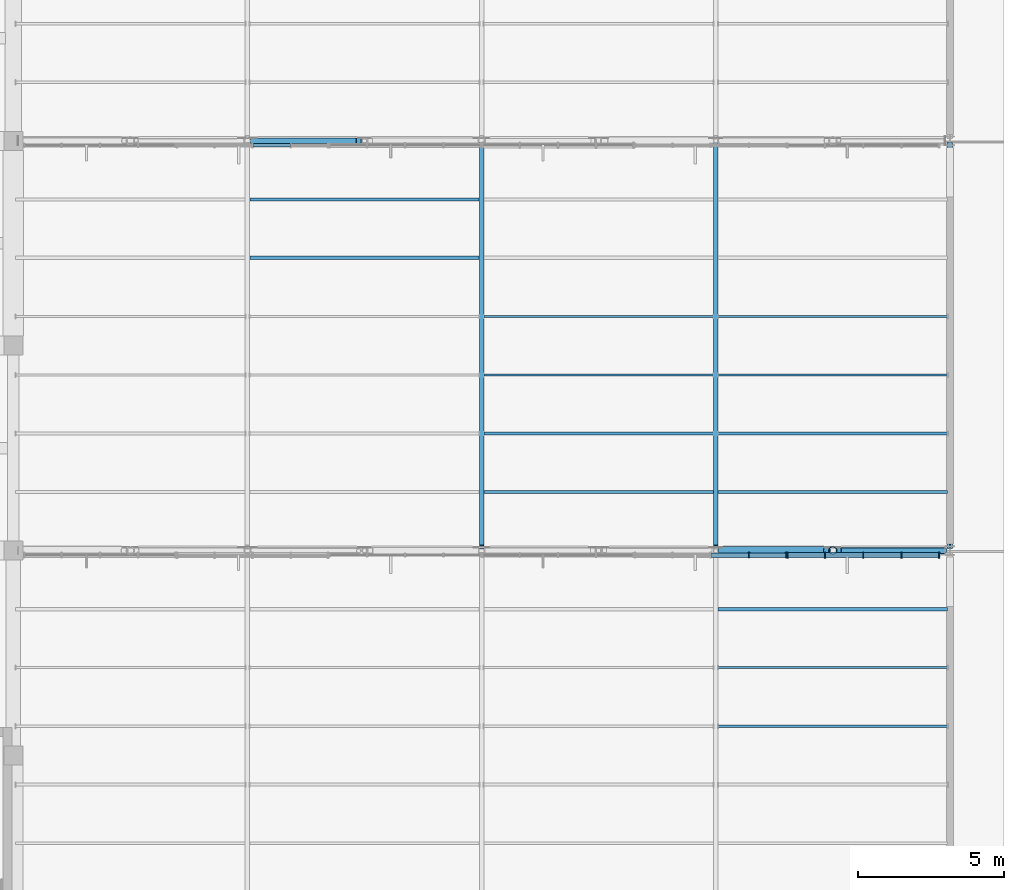
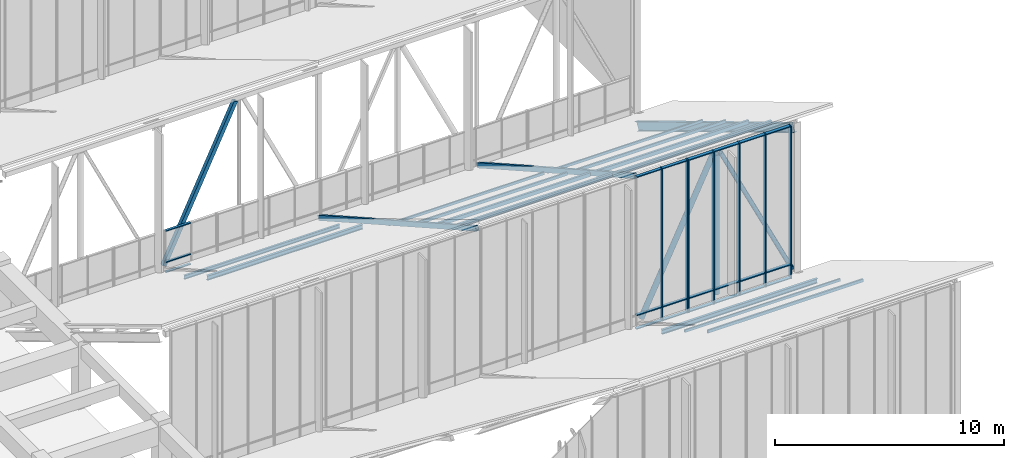
# One storey, part 56 of 155: 47 members, 1 beam, 3 elements without a shape of their own.
"""IFC4 building model written with IfcOpenShell, lengths in metres."""

from ifc_helpers import new_model, si_unit, direction, frame, origin, origin_2d, place, context, subcontext, project, spatial, rectangle, hollow_rectangle, hollow_circle, i_section, extrude, material, material_profile, profile_set, type_object, element, aggregate, save


model = new_model("IFC4")

# Units and contexts
model_context = context("Model", 3, precision=1e-05, world=origin(), true_north=direction((0.0, 1.0)))
body_context = subcontext(model_context, "Body", "Model", "MODEL_VIEW")
ifc_project = project(units=[si_unit("LENGTHUNIT", "METRE"), si_unit("AREAUNIT", "SQUARE_METRE"), si_unit("VOLUMEUNIT", "CUBIC_METRE"), si_unit("PLANEANGLEUNIT", "RADIAN"), si_unit("MASSUNIT", "GRAM", prefix="KILO")], contexts=[model_context])

# Site, building, storey
site_placement = place(None, origin())
site = spatial("IfcSite", under=ifc_project, at=site_placement, CompositionType="ELEMENT")
building_placement = place(site_placement, origin())
building = spatial("IfcBuilding", under=site, at=building_placement, Name="Larkveld Mobility Hub", CompositionType="ELEMENT")
storey_placement = place(building_placement, frame((0.0, 0.0, 8.39990234375)))
storey = spatial("IfcBuildingStorey", under=building, at=storey_placement, Name="L02", CompositionType="ELEMENT", Elevation=8.39990234375)

# Beam
ifc_material_1 = material(Name="Steel S355JR", Category="steel")
ifc_material_profile_1 = material_profile(ifc_material_1, i_section(OverallWidth=0.18994140625, OverallDepth=0.449951171875, WebThickness=0.009521484375, FlangeThickness=0.0146484375, FilletRadius=0.02099609375, at=origin_2d()), Name="IPE 450")
ifc_profile_set_1 = profile_set([ifc_material_profile_1], Name="Steel S355JR")
beam_type = type_object("IfcBeamType", Name="BM-STIPE450", PredefinedType="BEAM", material=ifc_profile_set_1)
beam_placement = place(storey_placement, frame((184.0, 70.179931640625, 7.68408203125), z_axis=(0.0, 0.857492925713, -0.514495755428), x_axis=(-1.0, 0.0, 0.0)))
element("IfcBeam", 1, at=beam_placement, inside=storey, type_object=beam_type, Name="ROOF TRUSS Sawtooth Edge Rafter B4-184", PredefinedType="BEAM", context=body_context, shape_type="SweptSolid", body=[
    extrude(i_section(OverallWidth=0.18994140625, OverallDepth=0.449951171875, WebThickness=0.009521484375, FlangeThickness=0.0146484375, FilletRadius=0.02099609375, at=origin_2d()), origin(), (0.0, 0.0, 1.0), 15.906982421875),
])

# Curtain wall, members
ifc_material_2 = material(Name="Anodised aluminium 6063-T6", Category="aluminium")
curtain_wall_type_1 = type_object("IfcCurtainWallType", Name="CW-SYS-06", PredefinedType="NOTDEFINED", material=ifc_material_2)
curtain_wall_1_placement = place(storey_placement, origin())
curtain_wall_1 = element("IfcCurtainWall", 2, at=curtain_wall_1_placement, inside=storey, type_object=curtain_wall_type_1, Name="Sawtooth South-Light Clerestory B4 CW-030", PredefinedType="NOTDEFINED")
ifc_material_profile_2 = material_profile(ifc_material_2, rectangle(XDim=0.050048828125, YDim=0.179931640625, at=origin_2d()), Name="ALU MULL 50x180")
ifc_profile_set_2 = profile_set([ifc_material_profile_2], Name="Anodised aluminium 6063-T6")
member_type_1 = type_object("IfcMemberType", Name="CW-MUL-02", PredefinedType="MULLION", material=ifc_profile_set_2)
member_1_placement = place(storey_placement, frame((177.1298828125, 69.844970703125, -0.001953125), z_axis=(0.0, 0.0, 1.0), x_axis=(1.0, 0.0, 0.0)))
member_1 = element("IfcMember", 3, at=member_1_placement, type_object=member_type_1, Name="CW06 mullion 4", PredefinedType="MULLION", context=body_context, shape_type="SweptSolid", body=[
    extrude(rectangle(XDim=0.050048828125, YDim=0.179931640625, at=origin_2d()), origin(), (0.0, 0.0, 1.0), 8.152099609375),
])
member_2_placement = place(storey_placement, frame((178.408935546875, 69.844970703125, -0.001953125), z_axis=(0.0, 0.0, 1.0), x_axis=(1.0, 0.0, 0.0)))
member_2 = element("IfcMember", 4, at=member_2_placement, type_object=member_type_1, Name="CW06 mullion 5", PredefinedType="MULLION", context=body_context, shape_type="SweptSolid", body=[
    extrude(rectangle(XDim=0.050048828125, YDim=0.179931640625, at=origin_2d()), origin(), (0.0, 0.0, 1.0), 8.152099609375),
])

curtain_wall_type_2 = type_object("IfcCurtainWallType", Name="CW-SYS-07", PredefinedType="NOTDEFINED", material=ifc_material_2)
curtain_wall_2_placement = place(storey_placement, origin())
curtain_wall_2 = element("IfcCurtainWall", 5, at=curtain_wall_2_placement, inside=storey, type_object=curtain_wall_type_2, Name="Sawtooth South-Light Clerestory B4 CW-031", PredefinedType="NOTDEFINED")
ifc_material_profile_3 = material_profile(ifc_material_2, rectangle(XDim=0.050048828125, YDim=0.2099609375, at=origin_2d()), Name="ALU MULL 50x210")
ifc_profile_set_3 = profile_set([ifc_material_profile_3], Name="Anodised aluminium 6063-T6")
member_type_2 = type_object("IfcMemberType", Name="CW-MUL-03", PredefinedType="MULLION", material=ifc_profile_set_3)
member_3_placement = place(storey_placement, frame((178.4580078125, 69.844970703125, -0.001953125), z_axis=(0.0, 0.0, 1.0), x_axis=(1.0, 0.0, 0.0)))
member_3 = element("IfcMember", 6, at=member_3_placement, type_object=member_type_2, Name="CW07 mullion 1", PredefinedType="MULLION", context=body_context, shape_type="SweptSolid", body=[
    extrude(rectangle(XDim=0.050048828125, YDim=0.2099609375, at=origin_2d()), origin(), (0.0, 0.0, 1.0), 8.152099609375),
])
member_4_placement = place(storey_placement, frame((179.737060546875, 69.844970703125, -0.001953125), z_axis=(0.0, 0.0, 1.0), x_axis=(1.0, 0.0, 0.0)))
member_4 = element("IfcMember", 7, at=member_4_placement, type_object=member_type_2, Name="CW07 mullion 2", PredefinedType="MULLION", context=body_context, shape_type="SweptSolid", body=[
    extrude(rectangle(XDim=0.050048828125, YDim=0.2099609375, at=origin_2d()), origin(), (0.0, 0.0, 1.0), 8.152099609375),
])
member_5_placement = place(storey_placement, frame((181.041015625, 69.844970703125, -0.001953125), z_axis=(0.0, 0.0, 1.0), x_axis=(1.0, 0.0, 0.0)))
member_5 = element("IfcMember", 8, at=member_5_placement, type_object=member_type_2, Name="CW07 mullion 3", PredefinedType="MULLION", context=body_context, shape_type="SweptSolid", body=[
    extrude(rectangle(XDim=0.050048828125, YDim=0.2099609375, at=origin_2d()), origin(), (0.0, 0.0, 1.0), 8.152099609375),
])
member_6_placement = place(storey_placement, frame((182.344970703125, 69.844970703125, -0.001953125), z_axis=(0.0, 0.0, 1.0), x_axis=(1.0, 0.0, 0.0)))
member_6 = element("IfcMember", 9, at=member_6_placement, type_object=member_type_2, Name="CW07 mullion 4", PredefinedType="MULLION", context=body_context, shape_type="SweptSolid", body=[
    extrude(rectangle(XDim=0.050048828125, YDim=0.2099609375, at=origin_2d()), origin(), (0.0, 0.0, 1.0), 8.152099609375),
])
member_7_placement = place(storey_placement, frame((183.625, 69.844970703125, -0.001953125), z_axis=(0.0, 0.0, 1.0), x_axis=(1.0, 0.0, 0.0)))
member_7 = element("IfcMember", 10, at=member_7_placement, type_object=member_type_2, Name="CW07 mullion 5", PredefinedType="MULLION", context=body_context, shape_type="SweptSolid", body=[
    extrude(rectangle(XDim=0.050048828125, YDim=0.2099609375, at=origin_2d()), origin(), (0.0, 0.0, 1.0), 8.152099609375),
])

curtain_wall_type_3 = type_object("IfcCurtainWallType", Name="CW-SYS-09", PredefinedType="NOTDEFINED", material=ifc_material_2)
curtain_wall_3_placement = place(storey_placement, origin())
curtain_wall_3 = element("IfcCurtainWall", 11, at=curtain_wall_3_placement, inside=storey, type_object=curtain_wall_type_3, Name="Sawtooth South-Light Clerestory B5 CW-033", PredefinedType="NOTDEFINED")
ifc_material_profile_4 = material_profile(ifc_material_2, rectangle(XDim=0.1201171875, YDim=0.050048828125, at=origin_2d()), Name="ALU TRAN 50x120")
ifc_profile_set_4 = profile_set([ifc_material_profile_4], Name="Anodised aluminium 6063-T6")
member_type_3 = type_object("IfcMemberType", Name="CW-TRN-01", PredefinedType="USERDEFINED", material=ifc_profile_set_4)
member_8_placement = place(storey_placement, frame((160.18994140625, 83.844970703125, 0.030029296875), z_axis=(1.0, 0.0, 0.0), x_axis=(0.0, 1.0, 0.0)))
member_8 = element("IfcMember", 12, at=member_8_placement, type_object=member_type_3, Name="CW09 transom 3.1", ObjectType="TRANSOM", PredefinedType="USERDEFINED", context=body_context, shape_type="SweptSolid", body=[
    extrude(rectangle(XDim=0.1201171875, YDim=0.050048828125, at=origin_2d()), origin(), (0.0, 0.0, 1.0), 1.275146484375),
])
member_9_placement = place(storey_placement, frame((160.18994140625, 83.844970703125, 0.565185546875), z_axis=(1.0, 0.0, 0.0), x_axis=(0.0, 1.0, 0.0)))
member_9 = element("IfcMember", 13, at=member_9_placement, type_object=member_type_3, Name="CW09 transom 3.2", ObjectType="TRANSOM", PredefinedType="USERDEFINED", context=body_context, shape_type="SweptSolid", body=[
    extrude(rectangle(XDim=0.1201171875, YDim=0.050048828125, at=origin_2d()), origin(), (0.0, 0.0, 1.0), 1.275146484375),
])
member_10_placement = place(storey_placement, frame((160.18994140625, 83.844970703125, 2.22802734375), z_axis=(1.0, 0.0, 0.0), x_axis=(0.0, 1.0, 0.0)))
member_10 = element("IfcMember", 14, at=member_10_placement, type_object=member_type_3, Name="CW09 transom 3.3", ObjectType="TRANSOM", PredefinedType="USERDEFINED", context=body_context, shape_type="SweptSolid", body=[
    extrude(rectangle(XDim=0.1201171875, YDim=0.050048828125, at=origin_2d()), origin(), (0.0, 0.0, 1.0), 1.275146484375),
])
aggregate(curtain_wall_3, [member_8, member_9, member_10])

# Member
ifc_material_profile_5 = material_profile(ifc_material_2, rectangle(XDim=0.14990234375, YDim=0.050048828125, at=origin_2d()), Name="ALU TRAN 50x150")
ifc_profile_set_5 = profile_set([ifc_material_profile_5], Name="Anodised aluminium 6063-T6")
member_type_4 = type_object("IfcMemberType", Name="CW-TRN-02", PredefinedType="USERDEFINED", material=ifc_profile_set_5)
member_11_placement = place(storey_placement, frame((175.840087890625, 69.844970703125, 0.030029296875), z_axis=(1.0, 0.0, 0.0), x_axis=(0.0, 1.0, 0.0)))
member_11 = element("IfcMember", 15, at=member_11_placement, type_object=member_type_4, Name="CW06 transom 3.1", ObjectType="TRANSOM", PredefinedType="USERDEFINED", context=body_context, shape_type="SweptSolid", body=[
    extrude(rectangle(XDim=0.14990234375, YDim=0.050048828125, at=origin_2d()), origin(), (0.0, 0.0, 1.0), 1.27490234375),
])

member_12_placement = place(storey_placement, frame((175.840087890625, 69.844970703125, 0.75), z_axis=(1.0, 0.0, 0.0), x_axis=(0.0, 1.0, 0.0)))
member_12 = element("IfcMember", 16, at=member_12_placement, type_object=member_type_4, Name="CW06 transom 3.2", ObjectType="TRANSOM", PredefinedType="USERDEFINED", context=body_context, shape_type="SweptSolid", body=[
    extrude(rectangle(XDim=0.14990234375, YDim=0.050048828125, at=origin_2d()), origin(), (0.0, 0.0, 1.0), 1.27490234375),
])

member_13_placement = place(storey_placement, frame((175.840087890625, 69.844970703125, 8.1181640625), z_axis=(1.0, 0.0, 0.0), x_axis=(0.0, 1.0, 0.0)))
member_13 = element("IfcMember", 17, at=member_13_placement, type_object=member_type_4, Name="CW06 transom 3.3", ObjectType="TRANSOM", PredefinedType="USERDEFINED", context=body_context, shape_type="SweptSolid", body=[
    extrude(rectangle(XDim=0.14990234375, YDim=0.050048828125, at=origin_2d()), origin(), (0.0, 0.0, 1.0), 1.27490234375),
])

member_14_placement = place(storey_placement, frame((177.14501953125, 69.844970703125, 0.030029296875), z_axis=(1.0, 0.0, 0.0), x_axis=(0.0, 1.0, 0.0)))
member_14 = element("IfcMember", 18, at=member_14_placement, type_object=member_type_4, Name="CW06 transom 4.1", ObjectType="TRANSOM", PredefinedType="USERDEFINED", context=body_context, shape_type="SweptSolid", body=[
    extrude(rectangle(XDim=0.14990234375, YDim=0.050048828125, at=origin_2d()), origin(), (0.0, 0.0, 1.0), 1.25390625),
])

member_15_placement = place(storey_placement, frame((177.14501953125, 69.844970703125, 0.75), z_axis=(1.0, 0.0, 0.0), x_axis=(0.0, 1.0, 0.0)))
member_15 = element("IfcMember", 19, at=member_15_placement, type_object=member_type_4, Name="CW06 transom 4.2", ObjectType="TRANSOM", PredefinedType="USERDEFINED", context=body_context, shape_type="SweptSolid", body=[
    extrude(rectangle(XDim=0.14990234375, YDim=0.050048828125, at=origin_2d()), origin(), (0.0, 0.0, 1.0), 1.25390625),
])

member_16_placement = place(storey_placement, frame((177.14501953125, 69.844970703125, 8.1181640625), z_axis=(1.0, 0.0, 0.0), x_axis=(0.0, 1.0, 0.0)))
member_16 = element("IfcMember", 20, at=member_16_placement, type_object=member_type_4, Name="CW06 transom 4.3", ObjectType="TRANSOM", PredefinedType="USERDEFINED", context=body_context, shape_type="SweptSolid", body=[
    extrude(rectangle(XDim=0.14990234375, YDim=0.050048828125, at=origin_2d()), origin(), (0.0, 0.0, 1.0), 1.25390625),
])

aggregate(curtain_wall_1, [member_1, member_2, member_11, member_12, member_13, member_14, member_15, member_16])

ifc_material_profile_6 = material_profile(ifc_material_2, rectangle(XDim=0.169921875, YDim=0.050048828125, at=origin_2d()), Name="ALU TRAN 50x170")
ifc_profile_set_6 = profile_set([ifc_material_profile_6], Name="Anodised aluminium 6063-T6")
member_type_5 = type_object("IfcMemberType", Name="CW-TRN-03", PredefinedType="USERDEFINED", material=ifc_profile_set_6)
member_17_placement = place(storey_placement, frame((178.468017578125, 69.844970703125, 0.030029296875), z_axis=(1.0, 0.0, 0.0), x_axis=(0.0, 1.0, 0.0)))
member_17 = element("IfcMember", 21, at=member_17_placement, type_object=member_type_5, Name="CW07 transom 1.1", ObjectType="TRANSOM", PredefinedType="USERDEFINED", context=body_context, shape_type="SweptSolid", body=[
    extrude(rectangle(XDim=0.169921875, YDim=0.050048828125, at=origin_2d()), origin(), (0.0, 0.0, 1.0), 1.25390625),
])

member_18_placement = place(storey_placement, frame((178.468017578125, 69.844970703125, 0.75), z_axis=(1.0, 0.0, 0.0), x_axis=(0.0, 1.0, 0.0)))
member_18 = element("IfcMember", 22, at=member_18_placement, type_object=member_type_5, Name="CW07 transom 1.2", ObjectType="TRANSOM", PredefinedType="USERDEFINED", context=body_context, shape_type="SweptSolid", body=[
    extrude(rectangle(XDim=0.169921875, YDim=0.050048828125, at=origin_2d()), origin(), (0.0, 0.0, 1.0), 1.25390625),
])

member_19_placement = place(storey_placement, frame((178.468017578125, 69.844970703125, 8.1181640625), z_axis=(1.0, 0.0, 0.0), x_axis=(0.0, 1.0, 0.0)))
member_19 = element("IfcMember", 23, at=member_19_placement, type_object=member_type_5, Name="CW07 transom 1.3", ObjectType="TRANSOM", PredefinedType="USERDEFINED", context=body_context, shape_type="SweptSolid", body=[
    extrude(rectangle(XDim=0.169921875, YDim=0.050048828125, at=origin_2d()), origin(), (0.0, 0.0, 1.0), 1.25390625),
])

member_20_placement = place(storey_placement, frame((179.751953125, 69.844970703125, 0.030029296875), z_axis=(1.0, 0.0, 0.0), x_axis=(0.0, 1.0, 0.0)))
member_20 = element("IfcMember", 24, at=member_20_placement, type_object=member_type_5, Name="CW07 transom 2.1", ObjectType="TRANSOM", PredefinedType="USERDEFINED", context=body_context, shape_type="SweptSolid", body=[
    extrude(rectangle(XDim=0.169921875, YDim=0.050048828125, at=origin_2d()), origin(), (0.0, 0.0, 1.0), 1.27392578125),
])

member_21_placement = place(storey_placement, frame((179.751953125, 69.844970703125, 0.75), z_axis=(1.0, 0.0, 0.0), x_axis=(0.0, 1.0, 0.0)))
member_21 = element("IfcMember", 25, at=member_21_placement, type_object=member_type_5, Name="CW07 transom 2.2", ObjectType="TRANSOM", PredefinedType="USERDEFINED", context=body_context, shape_type="SweptSolid", body=[
    extrude(rectangle(XDim=0.169921875, YDim=0.050048828125, at=origin_2d()), origin(), (0.0, 0.0, 1.0), 1.27392578125),
])

member_22_placement = place(storey_placement, frame((179.751953125, 69.844970703125, 8.1181640625), z_axis=(1.0, 0.0, 0.0), x_axis=(0.0, 1.0, 0.0)))
member_22 = element("IfcMember", 26, at=member_22_placement, type_object=member_type_5, Name="CW07 transom 2.3", ObjectType="TRANSOM", PredefinedType="USERDEFINED", context=body_context, shape_type="SweptSolid", body=[
    extrude(rectangle(XDim=0.169921875, YDim=0.050048828125, at=origin_2d()), origin(), (0.0, 0.0, 1.0), 1.27392578125),
])

member_23_placement = place(storey_placement, frame((181.055908203125, 69.844970703125, 0.030029296875), z_axis=(1.0, 0.0, 0.0), x_axis=(0.0, 1.0, 0.0)))
member_23 = element("IfcMember", 27, at=member_23_placement, type_object=member_type_5, Name="CW07 transom 3.1", ObjectType="TRANSOM", PredefinedType="USERDEFINED", context=body_context, shape_type="SweptSolid", body=[
    extrude(rectangle(XDim=0.169921875, YDim=0.050048828125, at=origin_2d()), origin(), (0.0, 0.0, 1.0), 1.275146484375),
])

member_24_placement = place(storey_placement, frame((181.055908203125, 69.844970703125, 0.75), z_axis=(1.0, 0.0, 0.0), x_axis=(0.0, 1.0, 0.0)))
member_24 = element("IfcMember", 28, at=member_24_placement, type_object=member_type_5, Name="CW07 transom 3.2", ObjectType="TRANSOM", PredefinedType="USERDEFINED", context=body_context, shape_type="SweptSolid", body=[
    extrude(rectangle(XDim=0.169921875, YDim=0.050048828125, at=origin_2d()), origin(), (0.0, 0.0, 1.0), 1.275146484375),
])

member_25_placement = place(storey_placement, frame((181.055908203125, 69.844970703125, 8.1181640625), z_axis=(1.0, 0.0, 0.0), x_axis=(0.0, 1.0, 0.0)))
member_25 = element("IfcMember", 29, at=member_25_placement, type_object=member_type_5, Name="CW07 transom 3.3", ObjectType="TRANSOM", PredefinedType="USERDEFINED", context=body_context, shape_type="SweptSolid", body=[
    extrude(rectangle(XDim=0.169921875, YDim=0.050048828125, at=origin_2d()), origin(), (0.0, 0.0, 1.0), 1.275146484375),
])

member_26_placement = place(storey_placement, frame((182.361083984375, 69.844970703125, 0.030029296875), z_axis=(1.0, 0.0, 0.0), x_axis=(0.0, 1.0, 0.0)))
member_26 = element("IfcMember", 30, at=member_26_placement, type_object=member_type_5, Name="CW07 transom 4.1", ObjectType="TRANSOM", PredefinedType="USERDEFINED", context=body_context, shape_type="SweptSolid", body=[
    extrude(rectangle(XDim=0.169921875, YDim=0.050048828125, at=origin_2d()), origin(), (0.0, 0.0, 1.0), 1.25390625),
])

member_27_placement = place(storey_placement, frame((182.361083984375, 69.844970703125, 0.75), z_axis=(1.0, 0.0, 0.0), x_axis=(0.0, 1.0, 0.0)))
member_27 = element("IfcMember", 31, at=member_27_placement, type_object=member_type_5, Name="CW07 transom 4.2", ObjectType="TRANSOM", PredefinedType="USERDEFINED", context=body_context, shape_type="SweptSolid", body=[
    extrude(rectangle(XDim=0.169921875, YDim=0.050048828125, at=origin_2d()), origin(), (0.0, 0.0, 1.0), 1.25390625),
])

member_28_placement = place(storey_placement, frame((182.361083984375, 69.844970703125, 8.1181640625), z_axis=(1.0, 0.0, 0.0), x_axis=(0.0, 1.0, 0.0)))
member_28 = element("IfcMember", 32, at=member_28_placement, type_object=member_type_5, Name="CW07 transom 4.3", ObjectType="TRANSOM", PredefinedType="USERDEFINED", context=body_context, shape_type="SweptSolid", body=[
    extrude(rectangle(XDim=0.169921875, YDim=0.050048828125, at=origin_2d()), origin(), (0.0, 0.0, 1.0), 1.25390625),
])

aggregate(curtain_wall_2, [member_3, member_4, member_5, member_6, member_7, member_17, member_18, member_19, member_20, member_21, member_22, member_23, member_24, member_25, member_26, member_27, member_28])

# Members
ifc_material_profile_7 = material_profile(ifc_material_1, hollow_circle(Radius=0.109619140625, WallThickness=0.010009765625, at=origin_2d()), Name="CHS 219.1x10")
ifc_profile_set_7 = profile_set([ifc_material_profile_7], Name="Steel S355JR")
member_type_6 = type_object("IfcMemberType", Name="MB-BR-CHS219", PredefinedType="BRACE", material=ifc_profile_set_7)
member_29_placement = place(storey_placement, frame((180.199951171875, 70.0, 7.800048828125), z_axis=(0.435573281392, 0.0, -0.900153273914), x_axis=(0.0, 1.0, 0.0)))
element("IfcMember", 33, at=member_29_placement, inside=storey, type_object=member_type_6, Name="ROOF TRUSS T4 Web Diagonal 8", PredefinedType="BRACE", context=body_context, shape_type="SweptSolid", body=[
    extrude(hollow_circle(Radius=0.109619140625, WallThickness=0.010009765625, at=origin_2d()), origin(), (0.0, 0.0, 1.0), 8.26513671875),
])
ifc_material_profile_8 = material_profile(ifc_material_1, hollow_circle(Radius=0.136474609375, WallThickness=0.012451171875, at=origin_2d()), Name="CHS 273x12.5")
ifc_profile_set_8 = profile_set([ifc_material_profile_8], Name="Steel S355JR")
member_type_7 = type_object("IfcMemberType", Name="MB-BR-CHS273", PredefinedType="BRACE", material=ifc_profile_set_8)
member_30_placement = place(storey_placement, frame((176.199951171875, 70.0, 0.360107421875), z_axis=(0.435573281392, 0.0, 0.900153273914), x_axis=(0.0, 1.0, 0.0)))
element("IfcMember", 34, at=member_30_placement, inside=storey, type_object=member_type_7, Name="ROOF TRUSS T4 Web Diagonal 7", PredefinedType="BRACE", context=body_context, shape_type="SweptSolid", body=[
    extrude(hollow_circle(Radius=0.136474609375, WallThickness=0.012451171875, at=origin_2d()), origin(), (0.0, 0.0, 1.0), 8.26513671875),
])
member_31_placement = place(storey_placement, frame((180.0, 70.0, 0.360107421875), z_axis=(0.0, 0.0, 1.0), x_axis=(1.0, 0.0, 0.0)))
element("IfcMember", 35, at=member_31_placement, inside=storey, type_object=member_type_7, Name="ROOF TRUSS T4 Vertical Post 7", PredefinedType="BRACE", context=body_context, shape_type="SweptSolid", body=[
    extrude(hollow_circle(Radius=0.136474609375, WallThickness=0.012451171875, at=origin_2d()), origin(), (0.0, 0.0, 1.0), 7.43994140625),
])
ifc_material_profile_9 = material_profile(ifc_material_1, hollow_rectangle(XDim=0.199951171875, YDim=0.199951171875, WallThickness=0.010009765625, at=origin_2d()), Name="SHS 200x200x10")
ifc_profile_set_9 = profile_set([ifc_material_profile_9], Name="Steel S355JR")
member_type_8 = type_object("IfcMemberType", Name="MB-BR-SHS200", PredefinedType="BRACE", material=ifc_profile_set_9)
member_32_placement = place(storey_placement, frame((160.199951171875, 84.0, 0.300048828125), z_axis=(0.43156423058, 0.0, 0.902082210712), x_axis=(0.0, 1.0, 0.0)))
element("IfcMember", 36, at=member_32_placement, inside=storey, type_object=member_type_8, Name="ROOF TRUSS T5 Web Diagonal 3", PredefinedType="BRACE", context=body_context, shape_type="SweptSolid", body=[
    extrude(hollow_rectangle(XDim=0.199951171875, YDim=0.199951171875, WallThickness=0.010009765625, at=origin_2d()), origin(), (0.0, 0.0, 1.0), 8.342041015625),
])
ifc_material_profile_10 = material_profile(ifc_material_1, hollow_rectangle(XDim=0.14990234375, YDim=0.25, WallThickness=0.010009765625, at=origin_2d()), Name="RHS 250x150x10")
ifc_profile_set_10 = profile_set([ifc_material_profile_10], Name="Steel S355JR")
member_type_9 = type_object("IfcMemberType", Name="MB-CH-RHS250", PredefinedType="CHORD", material=ifc_profile_set_10)
for number, where, z_axis, x_axis, name in (
    (37, (168.0, 70.1201171875, 7.9501953125), (0.0, 0.870759014799, -0.491710014283), (-1.0, 0.0, 0.0), "ROOF TRUSS Sloped Rafter Chord B4-168"),
    (38, (176.0, 70.1201171875, 7.9501953125), (0.0, 0.870759014799, -0.491710014283), (-1.0, 0.0, 0.0), "ROOF TRUSS Sloped Rafter Chord B4-176"),
):
    element("IfcMember", number, at=place(storey_placement, frame(where, z_axis=z_axis, x_axis=x_axis)), inside=storey, type_object=member_type_9, Name=name, PredefinedType="CHORD", context=body_context, shape_type="SweptSolid", body=[
        extrude(hollow_rectangle(XDim=0.14990234375, YDim=0.25, WallThickness=0.010009765625, at=origin_2d()), origin(), (0.0, 0.0, 1.0), 15.802001953125),
    ])
ifc_material_profile_11 = material_profile(ifc_material_1, i_section(OverallWidth=0.10009765625, OverallDepth=0.199951171875, WebThickness=0.005615234375, FlangeThickness=0.008544921875, FilletRadius=0.011962890625, at=origin_2d()), Name="IPE 200")
ifc_profile_set_11 = profile_set([ifc_material_profile_11], Name="Steel S355JR")
member_type_10 = type_object("IfcMemberType", Name="MB-PR-IPE200", PredefinedType="PURLIN", material=ifc_profile_set_11)
for number, where, z_axis, x_axis, name in (
    (39, (168.080078125, 72.0, 6.906982421875), (1.0, 0.0, 0.0), (0.0, 1.0, 0.0), "Sawtooth Roof Purlin B4-1.3"),
    (40, (176.080078125, 72.0, 6.906982421875), (1.0, 0.0, 0.0), (0.0, 1.0, 0.0), "Sawtooth Roof Purlin B4-1.4"),
    (41, (160.080078125, 82.0, 0.906982421875), (1.0, 0.0, 0.0), (0.0, 1.0, 0.0), "Sawtooth Roof Purlin B4-6.2"),
):
    element("IfcMember", number, at=place(storey_placement, frame(where, z_axis=z_axis, x_axis=x_axis)), inside=storey, type_object=member_type_10, Name=name, PredefinedType="PURLIN", context=body_context, shape_type="SweptSolid", body=[
        extrude(i_section(OverallWidth=0.10009765625, OverallDepth=0.199951171875, WebThickness=0.005615234375, FlangeThickness=0.008544921875, FilletRadius=0.011962890625, at=origin_2d()), origin(), (0.0, 0.0, 1.0), 7.83984375),
    ])
ifc_material_profile_12 = material_profile(ifc_material_1, i_section(OverallWidth=0.1201171875, OverallDepth=0.239990234375, WebThickness=0.006103515625, FlangeThickness=0.009765625, FilletRadius=0.014892578125, at=origin_2d()), Name="IPE 240")
ifc_profile_set_12 = profile_set([ifc_material_profile_12], Name="Steel S355JR")
member_type_11 = type_object("IfcMemberType", Name="MB-PR-IPE240", PredefinedType="PURLIN", material=ifc_profile_set_12)
for number, where, z_axis, x_axis, name in (
    (42, (176.080078125, 68.0, 0.88720703125), (1.0, 0.0, 0.0), (0.0, 1.0, 0.0), "Sawtooth Roof Purlin B3-6.4"),
    (43, (160.080078125, 80.0, 2.087158203125), (1.0, 0.0, 0.0), (0.0, 1.0, 0.0), "Sawtooth Roof Purlin B4-5.2"),
):
    element("IfcMember", number, at=place(storey_placement, frame(where, z_axis=z_axis, x_axis=x_axis)), inside=storey, type_object=member_type_11, Name=name, PredefinedType="PURLIN", context=body_context, shape_type="SweptSolid", body=[
        extrude(i_section(OverallWidth=0.1201171875, OverallDepth=0.239990234375, WebThickness=0.006103515625, FlangeThickness=0.009765625, FilletRadius=0.014892578125, at=origin_2d()), origin(), (0.0, 0.0, 1.0), 7.83984375),
    ])
ifc_material_profile_13 = material_profile(ifc_material_1, hollow_rectangle(XDim=0.070068359375, YDim=0.139892578125, WallThickness=0.00634765625, at=origin_2d()), Name="RHS 140x70x6.3")
ifc_profile_set_13 = profile_set([ifc_material_profile_13], Name="Steel S355JR")
member_type_12 = type_object("IfcMemberType", Name="MB-PR-RHS140", PredefinedType="PURLIN", material=ifc_profile_set_13)
for number, where, z_axis, x_axis, name in (
    (44, (176.080078125, 66.0, 2.13720703125), (1.0, 0.0, 0.0), (0.0, 1.0, 0.0), "Sawtooth Roof Purlin B3-5.4"),
    (45, (168.080078125, 78.0, 3.337158203125), (1.0, 0.0, 0.0), (0.0, 1.0, 0.0), "Sawtooth Roof Purlin B4-4.3"),
    (46, (176.080078125, 78.0, 3.337158203125), (1.0, 0.0, 0.0), (0.0, 1.0, 0.0), "Sawtooth Roof Purlin B4-4.4"),
):
    element("IfcMember", number, at=place(storey_placement, frame(where, z_axis=z_axis, x_axis=x_axis)), inside=storey, type_object=member_type_12, Name=name, PredefinedType="PURLIN", context=body_context, shape_type="SweptSolid", body=[
        extrude(hollow_rectangle(XDim=0.070068359375, YDim=0.139892578125, WallThickness=0.00634765625, at=origin_2d()), origin(), (0.0, 0.0, 1.0), 7.83984375),
    ])
ifc_material_profile_14 = material_profile(ifc_material_1, hollow_rectangle(XDim=0.080078125, YDim=0.159912109375, WallThickness=0.008056640625, at=origin_2d()), Name="RHS 160x80x8")
ifc_profile_set_14 = profile_set([ifc_material_profile_14], Name="Steel S355JR")
member_type_13 = type_object("IfcMemberType", Name="MB-PR-RHS160", PredefinedType="PURLIN", material=ifc_profile_set_14)
for number, where, z_axis, x_axis, name in (
    (47, (176.080078125, 64.0, 3.3271484375), (1.0, 0.0, 0.0), (0.0, 1.0, 0.0), "Sawtooth Roof Purlin B3-4.4"),
    (48, (168.080078125, 76.0, 4.527099609375), (1.0, 0.0, 0.0), (0.0, 1.0, 0.0), "Sawtooth Roof Purlin B4-3.3"),
    (49, (176.080078125, 76.0, 4.527099609375), (1.0, 0.0, 0.0), (0.0, 1.0, 0.0), "Sawtooth Roof Purlin B4-3.4"),
):
    element("IfcMember", number, at=place(storey_placement, frame(where, z_axis=z_axis, x_axis=x_axis)), inside=storey, type_object=member_type_13, Name=name, PredefinedType="PURLIN", context=body_context, shape_type="SweptSolid", body=[
        extrude(hollow_rectangle(XDim=0.080078125, YDim=0.159912109375, WallThickness=0.008056640625, at=origin_2d()), origin(), (0.0, 0.0, 1.0), 7.83984375),
    ])
ifc_material_profile_15 = material_profile(ifc_material_1, hollow_rectangle(XDim=0.10009765625, YDim=0.199951171875, WallThickness=0.008056640625, at=origin_2d()), Name="RHS 200x100x8")
ifc_profile_set_15 = profile_set([ifc_material_profile_15], Name="Steel S355JR")
member_type_14 = type_object("IfcMemberType", Name="MB-PR-RHS200", PredefinedType="PURLIN", material=ifc_profile_set_15)
for number, where, z_axis, x_axis, name in (
    (50, (168.080078125, 74.0, 5.70703125), (1.0, 0.0, 0.0), (0.0, 1.0, 0.0), "Sawtooth Roof Purlin B4-2.3"),
    (51, (176.080078125, 74.0, 5.70703125), (1.0, 0.0, 0.0), (0.0, 1.0, 0.0), "Sawtooth Roof Purlin B4-2.4"),
):
    element("IfcMember", number, at=place(storey_placement, frame(where, z_axis=z_axis, x_axis=x_axis)), inside=storey, type_object=member_type_14, Name=name, PredefinedType="PURLIN", context=body_context, shape_type="SweptSolid", body=[
        extrude(hollow_rectangle(XDim=0.10009765625, YDim=0.199951171875, WallThickness=0.008056640625, at=origin_2d()), origin(), (0.0, 0.0, 1.0), 7.83984375),
    ])

save(model, "model.ifc")
